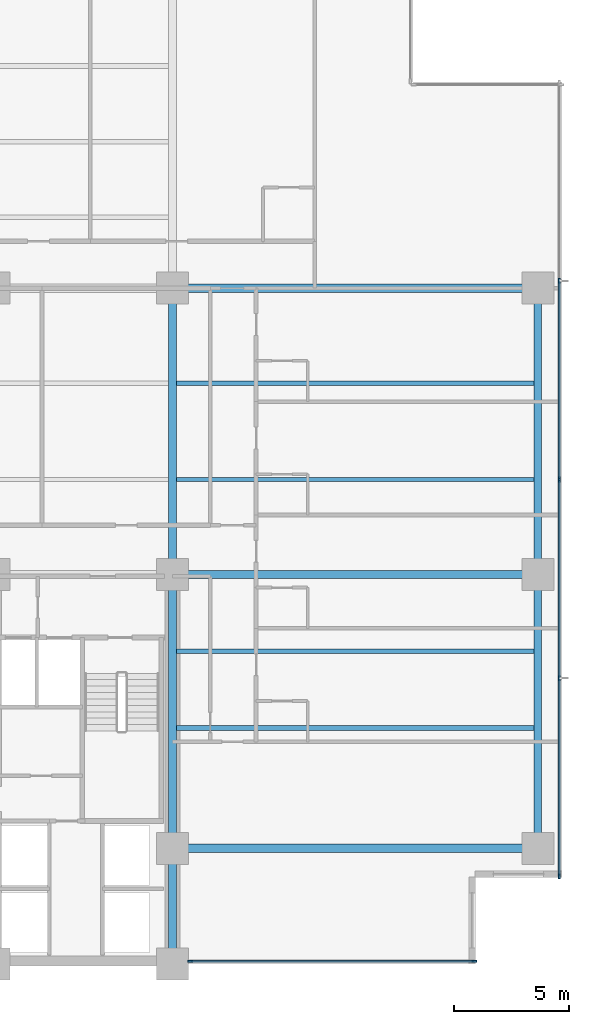
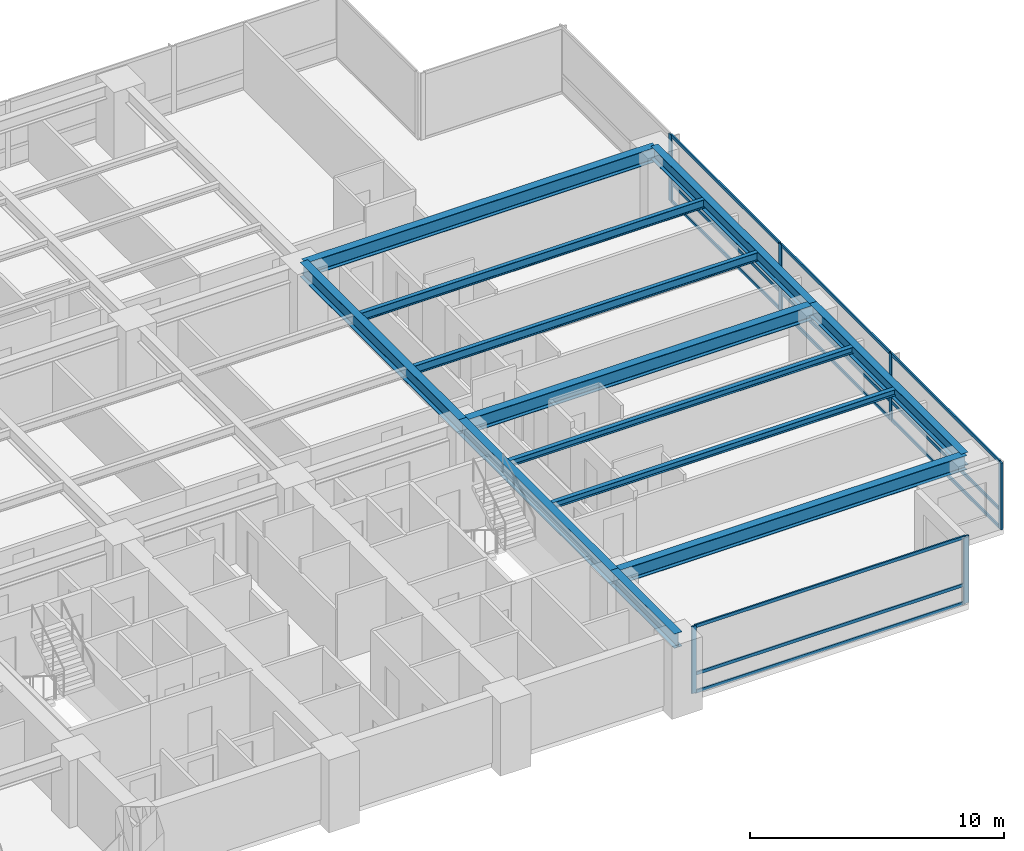
# One storey, part 3 of 17: 18 members, 12 beams, 2 elements without a shape of their own.
"""IFC4 building model written with IfcOpenShell, lengths in metres."""

from ifc_helpers import new_model, si_unit, direction, frame, origin, origin_2d, place, context, subcontext, project, spatial, rectangle, i_section, extrude, material, layer, layer_set, material_profile, profile_set, type_object, element, aggregate, save


model = new_model("IFC4")

# Units and contexts
model_context = context("Model", 3, precision=1e-05, world=origin(), true_north=direction((0.0, 1.0)))
body_context = subcontext(model_context, "Body", "Model", "MODEL_VIEW")
ifc_project = project(units=[si_unit("LENGTHUNIT", "METRE"), si_unit("AREAUNIT", "SQUARE_METRE"), si_unit("VOLUMEUNIT", "CUBIC_METRE"), si_unit("PLANEANGLEUNIT", "RADIAN"), si_unit("MASSUNIT", "GRAM", prefix="KILO")], contexts=[model_context])

# Site, building, storey
site_placement = place(None, origin())
site = spatial("IfcSite", under=ifc_project, at=site_placement, CompositionType="ELEMENT")
building_placement = place(site_placement, origin())
building = spatial("IfcBuilding", under=site, at=building_placement, Name="Qalmaran Belvedere Hotel", CompositionType="ELEMENT")
storey_placement = place(building_placement, frame((0.0, 0.0, 33.39990234375)))
storey = spatial("IfcBuildingStorey", under=building, at=storey_placement, Name="L07", CompositionType="ELEMENT", Elevation=33.39990234375)

# Beams
ifc_material_1 = material(Name="Steel S355JR", Category="steel")
ifc_material_profile_1 = material_profile(ifc_material_1, i_section(OverallWidth=0.202880859375, OverallDepth=0.302978515625, WebThickness=0.007568359375, FlangeThickness=0.01318359375, FilletRadius=0.012939453125, at=origin_2d()), Name="W310X60")
ifc_profile_set_1 = profile_set([ifc_material_profile_1], Name="Steel S355JR")
beam_type_1 = type_object("IfcBeamType", Name="BM-JST-W310X60", PredefinedType="JOIST", material=ifc_profile_set_1)
for number, where, z_axis, x_axis, name in (
    (1, (44.9755859375, 13.800048828125, 3.068603515625), (1.0, 0.0, 0.0), (0.0, 1.0, 0.0), "L07 East Wing Joist 039"),
    (2, (44.9755859375, 17.14990234375, 3.068603515625), (1.0, 0.0, 0.0), (0.0, 1.0, 0.0), "L07 East Wing Joist 041"),
):
    element("IfcBeam", number, at=place(storey_placement, frame(where, z_axis=z_axis, x_axis=x_axis)), inside=storey, type_object=beam_type_1, Name=name, PredefinedType="JOIST", context=body_context, shape_type="SweptSolid", body=[
        extrude(i_section(OverallWidth=0.202880859375, OverallDepth=0.302978515625, WebThickness=0.007568359375, FlangeThickness=0.01318359375, FilletRadius=0.012939453125, at=origin_2d()), origin(), (0.0, 0.0, 1.0), 15.61279296875),
    ])
ifc_material_profile_2 = material_profile(ifc_material_1, i_section(OverallWidth=0.180908203125, OverallDepth=0.4169921875, WebThickness=0.010986328125, FlangeThickness=0.018310546875, FilletRadius=0.014892578125, at=origin_2d()), Name="W410X85")
ifc_profile_set_2 = profile_set([ifc_material_profile_2], Name="Steel S355JR")
beam_type_2 = type_object("IfcBeamType", Name="BM-SB1-W410X85", PredefinedType="BEAM", material=ifc_profile_set_2)
for number, where, z_axis, x_axis, name in (
    (3, (44.9755859375, 24.64990234375, 3.01171875), (1.0, 0.0, 0.0), (0.0, 1.0, 0.0), "L07 East Secondary Beam 032"),
    (4, (44.9755859375, 28.85009765625, 3.01171875), (1.0, 0.0, 0.0), (0.0, 1.0, 0.0), "L07 East Secondary Beam 037"),
):
    element("IfcBeam", number, at=place(storey_placement, frame(where, z_axis=z_axis, x_axis=x_axis)), inside=storey, type_object=beam_type_2, Name=name, PredefinedType="BEAM", context=body_context, shape_type="SweptSolid", body=[
        extrude(i_section(OverallWidth=0.180908203125, OverallDepth=0.4169921875, WebThickness=0.010986328125, FlangeThickness=0.018310546875, FilletRadius=0.014892578125, at=origin_2d()), origin(), (0.0, 0.0, 1.0), 15.61279296875),
    ])
ifc_material_profile_3 = material_profile(ifc_material_1, i_section(OverallWidth=0.326904296875, OverallDepth=0.6220703125, WebThickness=0.015380859375, FlangeThickness=0.0244140625, FilletRadius=0.02001953125, at=origin_2d()), Name="W610X195")
ifc_profile_set_3 = profile_set([ifc_material_profile_3], Name="Steel S355JR")
beam_type_3 = type_object("IfcBeamType", Name="BM-SP1-W610X195", PredefinedType="SPANDREL", material=ifc_profile_set_3)
beam_1_placement = place(storey_placement, frame((60.75, 8.550048828125, 2.9091796875), z_axis=(0.0, 1.0, 0.0), x_axis=(-1.0, 0.0, 0.0)))
element("IfcBeam", 5, at=beam_1_placement, inside=storey, type_object=beam_type_3, Name="L07 Perimeter Spandrel 03", PredefinedType="SPANDREL", context=body_context, shape_type="SweptSolid", body=[
    extrude(i_section(OverallWidth=0.326904296875, OverallDepth=0.6220703125, WebThickness=0.015380859375, FlangeThickness=0.0244140625, FilletRadius=0.02001953125, at=origin_2d()), origin(), (0.0, 0.0, 1.0), 11.949951171875),
])
beam_2_placement = place(storey_placement, frame((60.75, 20.5, 2.9091796875), z_axis=(0.0, 1.0, 0.0), x_axis=(-1.0, 0.0, 0.0)))
element("IfcBeam", 6, at=beam_2_placement, inside=storey, type_object=beam_type_3, Name="L07 Perimeter Spandrel 04", PredefinedType="SPANDREL", context=body_context, shape_type="SweptSolid", body=[
    extrude(i_section(OverallWidth=0.326904296875, OverallDepth=0.6220703125, WebThickness=0.015380859375, FlangeThickness=0.0244140625, FilletRadius=0.02001953125, at=origin_2d()), origin(), (0.0, 0.0, 1.0), 12.5),
])
ifc_material_profile_4 = material_profile(ifc_material_1, i_section(OverallWidth=0.35498046875, OverallDepth=0.695068359375, WebThickness=0.015380859375, FlangeThickness=0.02490234375, FilletRadius=0.02197265625, at=origin_2d()), Name="W690X217")
ifc_profile_set_4 = profile_set([ifc_material_profile_4], Name="Steel S355JR")
beam_type_4 = type_object("IfcBeamType", Name="BM-Z1-W690X217", PredefinedType="USERDEFINED", material=ifc_profile_set_4)
beam_3_placement = place(storey_placement, frame((44.800048828125, 20.5, 2.87255859375), z_axis=(0.0, 1.0, 0.0), x_axis=(-1.0, 0.0, 0.0)))
element("IfcBeam", 7, at=beam_3_placement, inside=storey, type_object=beam_type_4, Name="L07 Mid-Plate N-S Girder 20", ObjectType="GIRDER", PredefinedType="USERDEFINED", context=body_context, shape_type="SweptSolid", body=[
    extrude(i_section(OverallWidth=0.35498046875, OverallDepth=0.695068359375, WebThickness=0.015380859375, FlangeThickness=0.02490234375, FilletRadius=0.02197265625, at=origin_2d()), origin(), (0.0, 0.0, 1.0), 12.5),
])
beam_4_placement = place(storey_placement, frame((44.800048828125, 3.5, 2.87255859375), z_axis=(0.0, 1.0, 0.0), x_axis=(-1.0, 0.0, 0.0)))
element("IfcBeam", 8, at=beam_4_placement, inside=storey, type_object=beam_type_4, Name="L07 East Core Edge Girder A", ObjectType="GIRDER", PredefinedType="USERDEFINED", context=body_context, shape_type="SweptSolid", body=[
    extrude(i_section(OverallWidth=0.35498046875, OverallDepth=0.695068359375, WebThickness=0.015380859375, FlangeThickness=0.02490234375, FilletRadius=0.02197265625, at=origin_2d()), origin(), (0.0, 0.0, 1.0), 5.050048828125),
])
beam_5_placement = place(storey_placement, frame((44.800048828125, 8.550048828125, 2.87255859375), z_axis=(0.0, 1.0, 0.0), x_axis=(-1.0, 0.0, 0.0)))
element("IfcBeam", 9, at=beam_5_placement, inside=storey, type_object=beam_type_4, Name="L07 East Core Edge Girder B", ObjectType="GIRDER", PredefinedType="USERDEFINED", context=body_context, shape_type="SweptSolid", body=[
    extrude(i_section(OverallWidth=0.35498046875, OverallDepth=0.695068359375, WebThickness=0.015380859375, FlangeThickness=0.02490234375, FilletRadius=0.02197265625, at=origin_2d()), origin(), (0.0, 0.0, 1.0), 11.949951171875),
])
for number, where, z_axis, x_axis, name in (
    (10, (44.800048828125, 8.550048828125, 2.87255859375), (1.0, 0.0, 0.0), (0.0, 1.0, 0.0), "L07 East Wing Girder 25"),
    (11, (44.800048828125, 20.5, 2.87255859375), (1.0, 0.0, 0.0), (0.0, 1.0, 0.0), "L07 East Wing Girder 26"),
    (12, (44.800048828125, 33.0, 2.87255859375), (1.0, 0.0, 0.0), (0.0, 1.0, 0.0), "L07 East Wing Girder 27"),
):
    element("IfcBeam", number, at=place(storey_placement, frame(where, z_axis=z_axis, x_axis=x_axis)), inside=storey, type_object=beam_type_4, Name=name, ObjectType="GIRDER", PredefinedType="USERDEFINED", context=body_context, shape_type="SweptSolid", body=[
        extrude(i_section(OverallWidth=0.35498046875, OverallDepth=0.695068359375, WebThickness=0.015380859375, FlangeThickness=0.02490234375, FilletRadius=0.02197265625, at=origin_2d()), origin(), (0.0, 0.0, 1.0), 15.949951171875),
    ])

# Curtain wall, members
ifc_material_2 = material(Name="Anodised Bronze Aluminium", Category="aluminium")
ifc_layer = layer(ifc_material_2, 0.2099609375, Name="Anodised Bronze Aluminium")
ifc_layer_set = layer_set([ifc_layer], Name="Anodised Bronze Aluminium")
curtain_wall_type = type_object("IfcCurtainWallType", Name="CW2-TOWER-LOWER", PredefinedType="NOTDEFINED", material=ifc_layer_set)
curtain_wall_1_placement = place(storey_placement, origin())
curtain_wall_1 = element("IfcCurtainWall", 13, at=curtain_wall_1_placement, inside=storey, type_object=curtain_wall_type, Name="L07 Curtain Wall CW2", PredefinedType="NOTDEFINED")
ifc_material_profile_5 = material_profile(ifc_material_2, rectangle(XDim=0.074951171875, YDim=0.219970703125, at=origin_2d()), Name="CWM75X220")
ifc_profile_set_5 = profile_set([ifc_material_profile_5], Name="Anodised Bronze Aluminium")
member_type_1 = type_object("IfcMemberType", Name="CWM-75X220", PredefinedType="MULLION", material=ifc_profile_set_5)
member_1_placement = place(storey_placement, frame((45.577392578125, 3.6201171875, 0.0), z_axis=(0.0, 0.0, 1.0), x_axis=(0.0, 1.0, 0.0)))
member_1 = element("IfcMember", 14, at=member_1_placement, type_object=member_type_1, Name="CW2 mullion 1", PredefinedType="MULLION", context=body_context, shape_type="SweptSolid", body=[
    extrude(rectangle(XDim=0.074951171875, YDim=0.219970703125, at=origin_2d()), origin(), (0.0, 0.0, 1.0), 3.22021484375),
])
member_2_placement = place(storey_placement, frame((57.96240234375, 3.6201171875, 0.0), z_axis=(0.0, 0.0, 1.0), x_axis=(0.0, 1.0, 0.0)))
member_2 = element("IfcMember", 15, at=member_2_placement, type_object=member_type_1, Name="CW2 mullion 2", PredefinedType="MULLION", context=body_context, shape_type="SweptSolid", body=[
    extrude(rectangle(XDim=0.074951171875, YDim=0.219970703125, at=origin_2d()), origin(), (0.0, 0.0, 1.0), 3.22021484375),
])

curtain_wall_2_placement = place(storey_placement, origin())
curtain_wall_2 = element("IfcCurtainWall", 16, at=curtain_wall_2_placement, inside=storey, type_object=curtain_wall_type, Name="L07 Curtain Wall CW2", PredefinedType="NOTDEFINED")
member_3_placement = place(storey_placement, frame((61.679931640625, 7.33740234375, 0.0), z_axis=(0.0, 0.0, 1.0), x_axis=(-1.0, 0.0, 0.0)))
member_3 = element("IfcMember", 17, at=member_3_placement, type_object=member_type_1, Name="CW2 mullion 1", PredefinedType="MULLION", context=body_context, shape_type="SweptSolid", body=[
    extrude(rectangle(XDim=0.074951171875, YDim=0.219970703125, at=origin_2d()), origin(), (0.0, 0.0, 1.0), 3.22021484375),
])
member_4_placement = place(storey_placement, frame((61.679931640625, 15.97509765625, 0.0), z_axis=(0.0, 0.0, 1.0), x_axis=(-1.0, 0.0, 0.0)))
member_4 = element("IfcMember", 18, at=member_4_placement, type_object=member_type_1, Name="CW2 mullion 2", PredefinedType="MULLION", context=body_context, shape_type="SweptSolid", body=[
    extrude(rectangle(XDim=0.074951171875, YDim=0.219970703125, at=origin_2d()), origin(), (0.0, 0.0, 1.0), 3.22021484375),
])
member_5_placement = place(storey_placement, frame((61.679931640625, 24.64990234375, 0.0), z_axis=(0.0, 0.0, 1.0), x_axis=(-1.0, 0.0, 0.0)))
member_5 = element("IfcMember", 19, at=member_5_placement, type_object=member_type_1, Name="CW2 mullion 3", PredefinedType="MULLION", context=body_context, shape_type="SweptSolid", body=[
    extrude(rectangle(XDim=0.074951171875, YDim=0.219970703125, at=origin_2d()), origin(), (0.0, 0.0, 1.0), 3.22021484375),
])
member_6_placement = place(storey_placement, frame((61.679931640625, 33.324951171875, 0.0), z_axis=(0.0, 0.0, 1.0), x_axis=(-1.0, 0.0, 0.0)))
member_6 = element("IfcMember", 20, at=member_6_placement, type_object=member_type_1, Name="CW2 mullion 4", PredefinedType="MULLION", context=body_context, shape_type="SweptSolid", body=[
    extrude(rectangle(XDim=0.074951171875, YDim=0.219970703125, at=origin_2d()), origin(), (0.0, 0.0, 1.0), 3.22021484375),
])

# Member
ifc_material_profile_6 = material_profile(ifc_material_2, rectangle(XDim=0.070068359375, YDim=0.14990234375, at=origin_2d()), Name="CWT70X150")
ifc_profile_set_6 = profile_set([ifc_material_profile_6], Name="Anodised Bronze Aluminium")
member_type_2 = type_object("IfcMemberType", Name="CWT-70X150", PredefinedType="USERDEFINED", material=ifc_profile_set_6)
member_7_placement = place(storey_placement, frame((45.614990234375, 3.6201171875, 0.03515625), z_axis=(1.0, 0.0, 0.0), x_axis=(0.0, 1.0, 0.0)))
member_7 = element("IfcMember", 21, at=member_7_placement, type_object=member_type_2, Name="CW2 transom 1.1", ObjectType="TRANSOM", PredefinedType="USERDEFINED", context=body_context, shape_type="SweptSolid", body=[
    extrude(rectangle(XDim=0.070068359375, YDim=0.14990234375, at=origin_2d()), origin(), (0.0, 0.0, 1.0), 12.31005859375),
])

member_8_placement = place(storey_placement, frame((45.614990234375, 3.6201171875, 0.901611328125), z_axis=(1.0, 0.0, 0.0), x_axis=(0.0, 1.0, 0.0)))
member_8 = element("IfcMember", 22, at=member_8_placement, type_object=member_type_2, Name="CW2 transom 1.2", ObjectType="TRANSOM", PredefinedType="USERDEFINED", context=body_context, shape_type="SweptSolid", body=[
    extrude(rectangle(XDim=0.070068359375, YDim=0.14990234375, at=origin_2d()), origin(), (0.0, 0.0, 1.0), 12.31005859375),
])

member_9_placement = place(storey_placement, frame((45.614990234375, 3.6201171875, 3.18505859375), z_axis=(1.0, 0.0, 0.0), x_axis=(0.0, 1.0, 0.0)))
member_9 = element("IfcMember", 23, at=member_9_placement, type_object=member_type_2, Name="CW2 transom 1.3", ObjectType="TRANSOM", PredefinedType="USERDEFINED", context=body_context, shape_type="SweptSolid", body=[
    extrude(rectangle(XDim=0.070068359375, YDim=0.14990234375, at=origin_2d()), origin(), (0.0, 0.0, 1.0), 12.31005859375),
])

aggregate(curtain_wall_1, [member_1, member_2, member_7, member_8, member_9])

member_10_placement = place(storey_placement, frame((61.679931640625, 7.375, 0.03515625), z_axis=(0.0, 1.0, 0.0), x_axis=(-1.0, 0.0, 0.0)))
member_10 = element("IfcMember", 24, at=member_10_placement, type_object=member_type_2, Name="CW2 transom 1.1", ObjectType="TRANSOM", PredefinedType="USERDEFINED", context=body_context, shape_type="SweptSolid", body=[
    extrude(rectangle(XDim=0.070068359375, YDim=0.14990234375, at=origin_2d()), origin(), (0.0, 0.0, 1.0), 8.5625),
])

member_11_placement = place(storey_placement, frame((61.679931640625, 7.375, 0.901611328125), z_axis=(0.0, 1.0, 0.0), x_axis=(-1.0, 0.0, 0.0)))
member_11 = element("IfcMember", 25, at=member_11_placement, type_object=member_type_2, Name="CW2 transom 1.2", ObjectType="TRANSOM", PredefinedType="USERDEFINED", context=body_context, shape_type="SweptSolid", body=[
    extrude(rectangle(XDim=0.070068359375, YDim=0.14990234375, at=origin_2d()), origin(), (0.0, 0.0, 1.0), 8.5625),
])

member_12_placement = place(storey_placement, frame((61.679931640625, 7.375, 3.18505859375), z_axis=(0.0, 1.0, 0.0), x_axis=(-1.0, 0.0, 0.0)))
member_12 = element("IfcMember", 26, at=member_12_placement, type_object=member_type_2, Name="CW2 transom 1.3", ObjectType="TRANSOM", PredefinedType="USERDEFINED", context=body_context, shape_type="SweptSolid", body=[
    extrude(rectangle(XDim=0.070068359375, YDim=0.14990234375, at=origin_2d()), origin(), (0.0, 0.0, 1.0), 8.5625),
])

member_13_placement = place(storey_placement, frame((61.679931640625, 16.012451171875, 0.03515625), z_axis=(0.0, 1.0, 0.0), x_axis=(-1.0, 0.0, 0.0)))
member_13 = element("IfcMember", 27, at=member_13_placement, type_object=member_type_2, Name="CW2 transom 2.1", ObjectType="TRANSOM", PredefinedType="USERDEFINED", context=body_context, shape_type="SweptSolid", body=[
    extrude(rectangle(XDim=0.070068359375, YDim=0.14990234375, at=origin_2d()), origin(), (0.0, 0.0, 1.0), 8.60009765625),
])

member_14_placement = place(storey_placement, frame((61.679931640625, 16.012451171875, 0.901611328125), z_axis=(0.0, 1.0, 0.0), x_axis=(-1.0, 0.0, 0.0)))
member_14 = element("IfcMember", 28, at=member_14_placement, type_object=member_type_2, Name="CW2 transom 2.2", ObjectType="TRANSOM", PredefinedType="USERDEFINED", context=body_context, shape_type="SweptSolid", body=[
    extrude(rectangle(XDim=0.070068359375, YDim=0.14990234375, at=origin_2d()), origin(), (0.0, 0.0, 1.0), 8.60009765625),
])

member_15_placement = place(storey_placement, frame((61.679931640625, 16.012451171875, 3.18505859375), z_axis=(0.0, 1.0, 0.0), x_axis=(-1.0, 0.0, 0.0)))
member_15 = element("IfcMember", 29, at=member_15_placement, type_object=member_type_2, Name="CW2 transom 2.3", ObjectType="TRANSOM", PredefinedType="USERDEFINED", context=body_context, shape_type="SweptSolid", body=[
    extrude(rectangle(XDim=0.070068359375, YDim=0.14990234375, at=origin_2d()), origin(), (0.0, 0.0, 1.0), 8.60009765625),
])

member_16_placement = place(storey_placement, frame((61.679931640625, 24.6875, 0.03515625), z_axis=(0.0, 1.0, 0.0), x_axis=(-1.0, 0.0, 0.0)))
member_16 = element("IfcMember", 30, at=member_16_placement, type_object=member_type_2, Name="CW2 transom 3.1", ObjectType="TRANSOM", PredefinedType="USERDEFINED", context=body_context, shape_type="SweptSolid", body=[
    extrude(rectangle(XDim=0.070068359375, YDim=0.14990234375, at=origin_2d()), origin(), (0.0, 0.0, 1.0), 8.60009765625),
])

member_17_placement = place(storey_placement, frame((61.679931640625, 24.6875, 0.901611328125), z_axis=(0.0, 1.0, 0.0), x_axis=(-1.0, 0.0, 0.0)))
member_17 = element("IfcMember", 31, at=member_17_placement, type_object=member_type_2, Name="CW2 transom 3.2", ObjectType="TRANSOM", PredefinedType="USERDEFINED", context=body_context, shape_type="SweptSolid", body=[
    extrude(rectangle(XDim=0.070068359375, YDim=0.14990234375, at=origin_2d()), origin(), (0.0, 0.0, 1.0), 8.60009765625),
])

member_18_placement = place(storey_placement, frame((61.679931640625, 24.6875, 3.18505859375), z_axis=(0.0, 1.0, 0.0), x_axis=(-1.0, 0.0, 0.0)))
member_18 = element("IfcMember", 32, at=member_18_placement, type_object=member_type_2, Name="CW2 transom 3.3", ObjectType="TRANSOM", PredefinedType="USERDEFINED", context=body_context, shape_type="SweptSolid", body=[
    extrude(rectangle(XDim=0.070068359375, YDim=0.14990234375, at=origin_2d()), origin(), (0.0, 0.0, 1.0), 8.60009765625),
])

aggregate(curtain_wall_2, [member_3, member_4, member_5, member_6, member_10, member_11, member_12, member_13, member_14, member_15, member_16, member_17, member_18])

save(model, "model.ifc")
